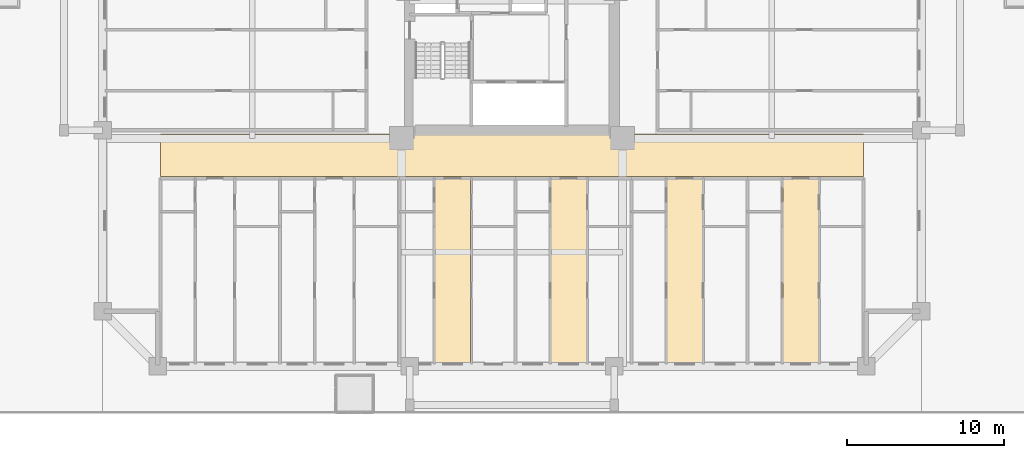
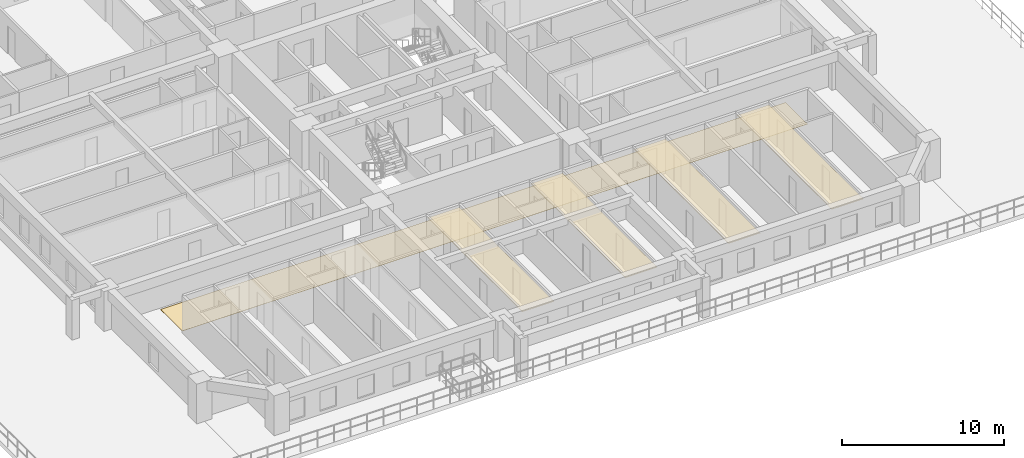
# One storey, part 15 of 19: 5 coverings.
"""IFC4 building model written with IfcOpenShell, lengths in metres."""

from ifc_helpers import new_model, si_unit, direction, frame, origin, place, context, subcontext, project, spatial, polyline, outline, extrude, material, layer, layer_set, type_object, element, save


model = new_model("IFC4")

# Units and contexts
model_context = context("Model", 3, precision=1e-05, world=origin(), true_north=direction((0.0, 1.0)))
body_context = subcontext(model_context, "Body", "Model", "MODEL_VIEW")
ifc_project = project(units=[si_unit("LENGTHUNIT", "METRE"), si_unit("AREAUNIT", "SQUARE_METRE"), si_unit("VOLUMEUNIT", "CUBIC_METRE"), si_unit("PLANEANGLEUNIT", "RADIAN"), si_unit("MASSUNIT", "GRAM", prefix="KILO")], contexts=[model_context])

# Site, building, storey
site_placement = place(None, origin())
site = spatial("IfcSite", under=ifc_project, at=site_placement, CompositionType="ELEMENT")
building_placement = place(site_placement, origin())
building = spatial("IfcBuilding", under=site, at=building_placement, Name="Saelheon Loggia Tower", CompositionType="ELEMENT")
storey_placement = place(building_placement, frame((0.0, 0.0, 19.39990234375)))
storey = spatial("IfcBuildingStorey", under=building, at=storey_placement, Name="L05", CompositionType="ELEMENT", Elevation=19.39990234375)

# Coverings
ifc_material_1 = material(Name="Mineral-Fibre Acoustic Ceiling Board", Category="gypsum")
ifc_layer_1 = layer(ifc_material_1, 0.02490234375)
ifc_layer_set_1 = layer_set([ifc_layer_1], Name="Mineral-Fibre Acoustic Ceiling Board")
covering_type_1 = type_object("IfcCoveringType", Name="Cov_Ceiling_Acoustic", PredefinedType="CEILING", material=ifc_layer_set_1)
covering_1_placement = place(storey_placement, frame((0.0, 0.0, 2.53515625)))
element("IfcCovering", 1, at=covering_1_placement, inside=storey, type_object=covering_type_1, Name="L05 Acoustic Suspended Ceiling", PredefinedType="CEILING", context=body_context, shape_type="SweptSolid", body=[
    extrude(outline(polyline([(33.107666015625, 3.199951171875), (35.374267578125, 3.199951171875), (35.374267578125, 14.89990234375), (33.107666015625, 14.89990234375), (33.107666015625, 3.199951171875)])), origin(), (0.0, 0.0, 1.0), 0.02490234375),
])
covering_2_placement = place(storey_placement, frame((0.0, 0.0, 2.53515625)))
element("IfcCovering", 2, at=covering_2_placement, inside=storey, type_object=covering_type_1, Name="L05 Acoustic Suspended Ceiling", PredefinedType="CEILING", context=body_context, shape_type="SweptSolid", body=[
    extrude(outline(polyline([(40.47314453125, 3.199951171875), (42.739990234375, 3.199951171875), (42.739990234375, 14.89990234375), (40.47314453125, 14.89990234375), (40.47314453125, 3.199951171875)])), origin(), (0.0, 0.0, 1.0), 0.02490234375),
])
covering_3_placement = place(storey_placement, frame((0.0, 0.0, 2.53515625)))
element("IfcCovering", 3, at=covering_3_placement, inside=storey, type_object=covering_type_1, Name="L05 Acoustic Suspended Ceiling", PredefinedType="CEILING", context=body_context, shape_type="SweptSolid", body=[
    extrude(outline(polyline([(47.8388671875, 3.199951171875), (50.10546875, 3.199951171875), (50.10546875, 14.89990234375), (47.8388671875, 14.89990234375), (47.8388671875, 3.199951171875)])), origin(), (0.0, 0.0, 1.0), 0.02490234375),
])
covering_4_placement = place(storey_placement, frame((0.0, 0.0, 2.53515625)))
element("IfcCovering", 4, at=covering_4_placement, inside=storey, type_object=covering_type_1, Name="L05 Acoustic Suspended Ceiling", PredefinedType="CEILING", context=body_context, shape_type="SweptSolid", body=[
    extrude(outline(polyline([(55.204345703125, 3.199951171875), (57.47119140625, 3.199951171875), (57.47119140625, 14.89990234375), (55.204345703125, 14.89990234375), (55.204345703125, 3.199951171875)])), origin(), (0.0, 0.0, 1.0), 0.02490234375),
])
ifc_material_2 = material(Name="Vitrified Porcelain Floor Tile", Category="ceramic")
ifc_layer_2 = layer(ifc_material_2, 0.02001953125)
ifc_layer_set_2 = layer_set([ifc_layer_2], Name="Vitrified Porcelain Floor Tile")
covering_type_2 = type_object("IfcCoveringType", Name="Cov_Floor_Porcelain", PredefinedType="FLOORING", material=ifc_layer_set_2)
covering_5_placement = place(storey_placement, origin())
element("IfcCovering", 5, at=covering_5_placement, inside=storey, type_object=covering_type_2, Name="L05 Corridor Porcelain Flooring", PredefinedType="FLOORING", context=body_context, shape_type="SweptSolid", body=[
    extrude(outline(polyline([(15.679931640625, 15.050048828125), (60.320068359375, 15.050048828125), (60.320068359375, 17.75), (15.679931640625, 17.75), (15.679931640625, 15.050048828125)])), origin(), (0.0, 0.0, 1.0), 0.02001953125),
])

save(model, "model.ifc")
